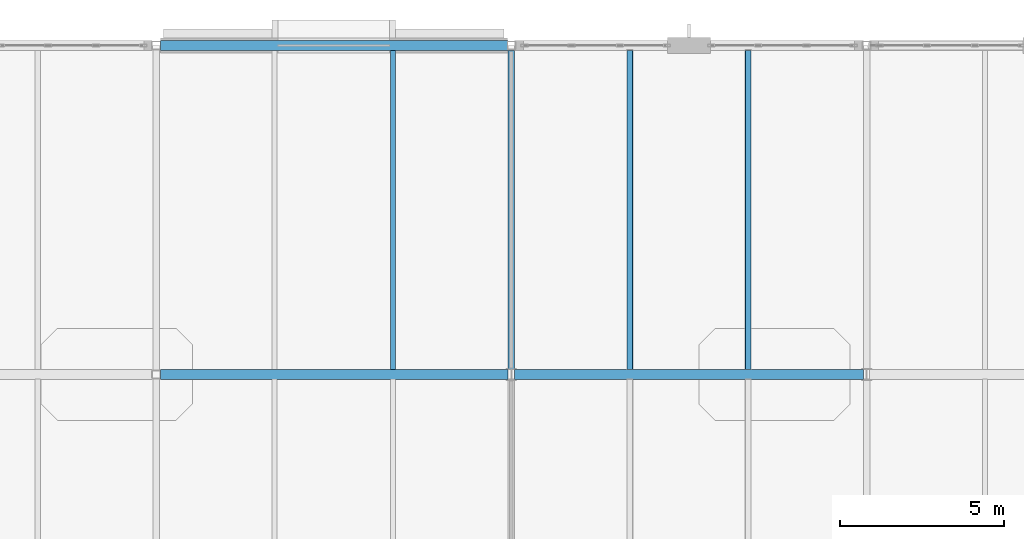
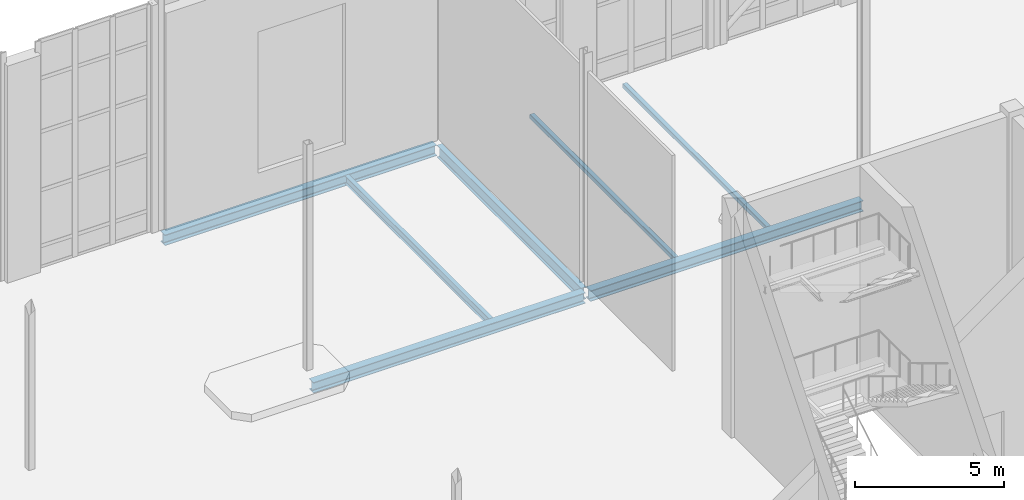
# One storey, part 51 of 100: 7 beams.
"""IFC4 building model written with IfcOpenShell, lengths in metres."""

from ifc_helpers import new_model, si_unit, direction, frame, origin, origin_2d, place, context, subcontext, project, spatial, hollow_rectangle, i_section, extrude, material, material_profile, profile_set, type_object, element, save


model = new_model("IFC4")

# Units and contexts
model_context = context("Model", 3, precision=1e-05, world=origin(), true_north=direction((0.0, 1.0)))
body_context = subcontext(model_context, "Body", "Model", "MODEL_VIEW")
ifc_project = project(units=[si_unit("LENGTHUNIT", "METRE"), si_unit("AREAUNIT", "SQUARE_METRE"), si_unit("VOLUMEUNIT", "CUBIC_METRE"), si_unit("PLANEANGLEUNIT", "RADIAN"), si_unit("MASSUNIT", "GRAM", prefix="KILO")], contexts=[model_context])

# Site, building, storey
site_placement = place(None, origin())
site = spatial("IfcSite", under=ifc_project, at=site_placement, CompositionType="ELEMENT")
building_placement = place(site_placement, origin())
building = spatial("IfcBuilding", under=site, at=building_placement, Name="Tasgan Crest Museum", CompositionType="ELEMENT")
storey_placement = place(building_placement, frame((0.0, 0.0, 14.39990234375)))
storey = spatial("IfcBuildingStorey", under=building, at=storey_placement, Name="L03", CompositionType="ELEMENT", Elevation=14.39990234375)

# Beams
ifc_material_1 = material(Name="Steel S355J2", Category="steel")
ifc_material_profile_1 = material_profile(ifc_material_1, i_section(OverallWidth=0.300048828125, OverallDepth=0.43994140625, WebThickness=0.011474609375, FlangeThickness=0.02099609375, FilletRadius=0.027099609375, at=origin_2d()), Name="HEA 450")
ifc_profile_set_1 = profile_set([ifc_material_profile_1], Name="Steel S355J2")
beam_type_1 = type_object("IfcBeamType", Name="BM-G-HEA450", PredefinedType="BEAM", material=ifc_profile_set_1)
beam_1_placement = place(storey_placement, frame((43.33251953125, 102.0, -0.4599609375), z_axis=(1.0, 0.0, 0.0), x_axis=(0.0, 1.0, 0.0)))
element("IfcBeam", 1, at=beam_1_placement, inside=storey, type_object=beam_type_1, Name="Girder L03 L 43.2-54.0", PredefinedType="BEAM", context=body_context, shape_type="SweptSolid", body=[
    extrude(i_section(OverallWidth=0.300048828125, OverallDepth=0.43994140625, WebThickness=0.011474609375, FlangeThickness=0.02099609375, FilletRadius=0.027099609375, at=origin_2d()), origin(), (0.0, 0.0, 1.0), 10.571533203125),
])
beam_2_placement = place(storey_placement, frame((54.095947265625, 102.0, -0.4599609375), z_axis=(1.0, 0.0, 0.0), x_axis=(0.0, 1.0, 0.0)))
element("IfcBeam", 2, at=beam_2_placement, inside=storey, type_object=beam_type_1, Name="Girder L03 L 54.0-64.8", PredefinedType="BEAM", context=body_context, shape_type="SweptSolid", body=[
    extrude(i_section(OverallWidth=0.300048828125, OverallDepth=0.43994140625, WebThickness=0.011474609375, FlangeThickness=0.02099609375, FilletRadius=0.027099609375, at=origin_2d()), origin(), (0.0, 0.0, 1.0), 10.608154296875),
])
beam_3_placement = place(storey_placement, frame((43.33251953125, 112.0, -0.4599609375), z_axis=(1.0, 0.0, 0.0), x_axis=(0.0, 1.0, 0.0)))
element("IfcBeam", 3, at=beam_3_placement, inside=storey, type_object=beam_type_1, Name="Girder L03 M 43.2-54.0", PredefinedType="BEAM", context=body_context, shape_type="SweptSolid", body=[
    extrude(i_section(OverallWidth=0.300048828125, OverallDepth=0.43994140625, WebThickness=0.011474609375, FlangeThickness=0.02099609375, FilletRadius=0.027099609375, at=origin_2d()), origin(), (0.0, 0.0, 1.0), 10.571533203125),
])
ifc_material_2 = material(Name="Steel S355J2", Category="steel")
ifc_material_profile_2 = material_profile(ifc_material_2, i_section(OverallWidth=0.199951171875, OverallDepth=0.5, WebThickness=0.01025390625, FlangeThickness=0.01611328125, FilletRadius=0.02099609375, at=origin_2d()), Name="IPE 500")
ifc_profile_set_2 = profile_set([ifc_material_profile_2], Name="Steel S355J2")
beam_type_2 = type_object("IfcBeamType", Name="BM-G-IPE500", PredefinedType="BEAM", material=ifc_profile_set_2)
beam_4_placement = place(storey_placement, frame((54.0, 102.14501953125, -0.489990234375), z_axis=(0.0, 1.0, 0.0), x_axis=(-1.0, 0.0, 0.0)))
element("IfcBeam", 4, at=beam_4_placement, inside=storey, type_object=beam_type_2, Name="Beam L03 6 102.0-112.0", PredefinedType="BEAM", context=body_context, shape_type="SweptSolid", body=[
    extrude(i_section(OverallWidth=0.199951171875, OverallDepth=0.5, WebThickness=0.01025390625, FlangeThickness=0.01611328125, FilletRadius=0.02099609375, at=origin_2d()), origin(), (0.0, 0.0, 1.0), 9.7099609375),
])
ifc_material_3 = material(Name="Steel S355J2", Category="steel")
ifc_material_profile_3 = material_profile(ifc_material_3, i_section(OverallWidth=0.159912109375, OverallDepth=0.330078125, WebThickness=0.007568359375, FlangeThickness=0.011474609375, FilletRadius=0.01806640625, at=origin_2d()), Name="IPE 330")
ifc_profile_set_3 = profile_set([ifc_material_profile_3], Name="Steel S355J2")
beam_type_3 = type_object("IfcBeamType", Name="BM-J-IPE330", PredefinedType="JOIST", material=ifc_profile_set_3)
beam_5_placement = place(storey_placement, frame((50.39990234375, 102.14501953125, -0.40478515625), z_axis=(0.0, 1.0, 0.0), x_axis=(-1.0, 0.0, 0.0)))
element("IfcBeam", 5, at=beam_5_placement, inside=storey, type_object=beam_type_3, Name="Secondary joist L03 X=50.4 Y=102.0-112.0", PredefinedType="JOIST", context=body_context, shape_type="SweptSolid", body=[
    extrude(i_section(OverallWidth=0.159912109375, OverallDepth=0.330078125, WebThickness=0.007568359375, FlangeThickness=0.011474609375, FilletRadius=0.01806640625, at=origin_2d()), origin(), (0.0, 0.0, 1.0), 9.7099609375),
])
ifc_material_4 = material(Name="Steel S355J2", Category="steel")
ifc_material_profile_4 = material_profile(ifc_material_4, hollow_rectangle(XDim=0.179931640625, YDim=0.179931640625, WallThickness=0.010009765625, InnerFilletRadius=0.010009765625, OuterFilletRadius=0.02001953125, at=origin_2d()), Name="SHS 180x180x10")
ifc_profile_set_4 = profile_set([ifc_material_profile_4], Name="Steel S355J2")
beam_type_4 = type_object("IfcBeamType", Name="BM-J-SHS180", PredefinedType="JOIST", material=ifc_profile_set_4)
for number, where, z_axis, x_axis, name in (
    (6, (57.60009765625, 102.14501953125, -0.329833984375), (0.0, 1.0, 0.0), (-1.0, 0.0, 0.0), "Secondary joist L03 X=57.6 Y=102.0-112.0"),
    (7, (61.199951171875, 102.14501953125, -0.329833984375), (0.0, 1.0, 0.0), (-1.0, 0.0, 0.0), "Secondary joist L03 X=61.2 Y=102.0-112.0"),
):
    element("IfcBeam", number, at=place(storey_placement, frame(where, z_axis=z_axis, x_axis=x_axis)), inside=storey, type_object=beam_type_4, Name=name, PredefinedType="JOIST", context=body_context, shape_type="SweptSolid", body=[
        extrude(hollow_rectangle(XDim=0.179931640625, YDim=0.179931640625, WallThickness=0.010009765625, InnerFilletRadius=0.010009765625, OuterFilletRadius=0.02001953125, at=origin_2d()), origin(), (0.0, 0.0, 1.0), 9.7099609375),
    ])

save(model, "model.ifc")
